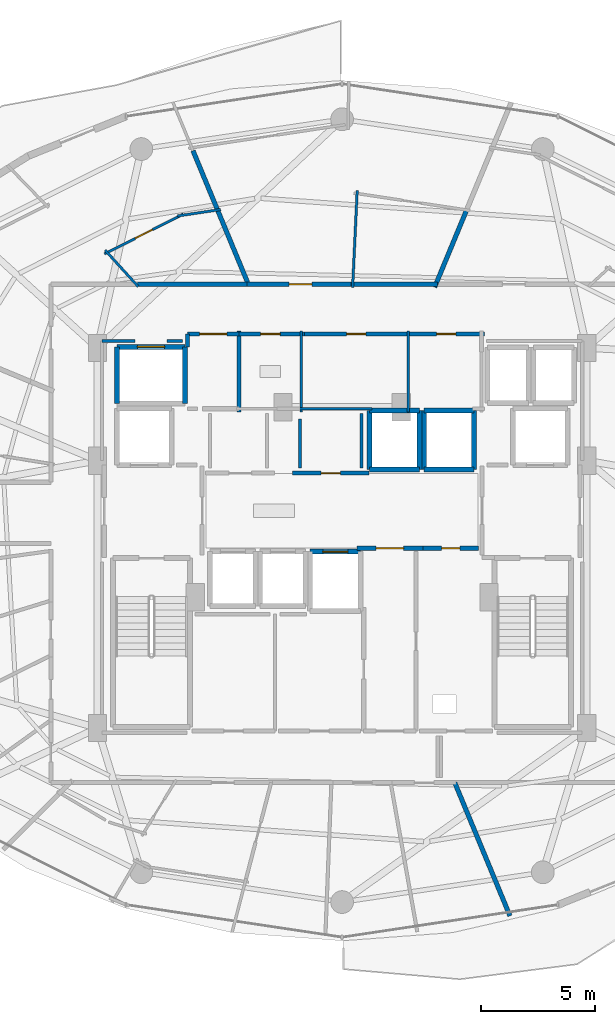
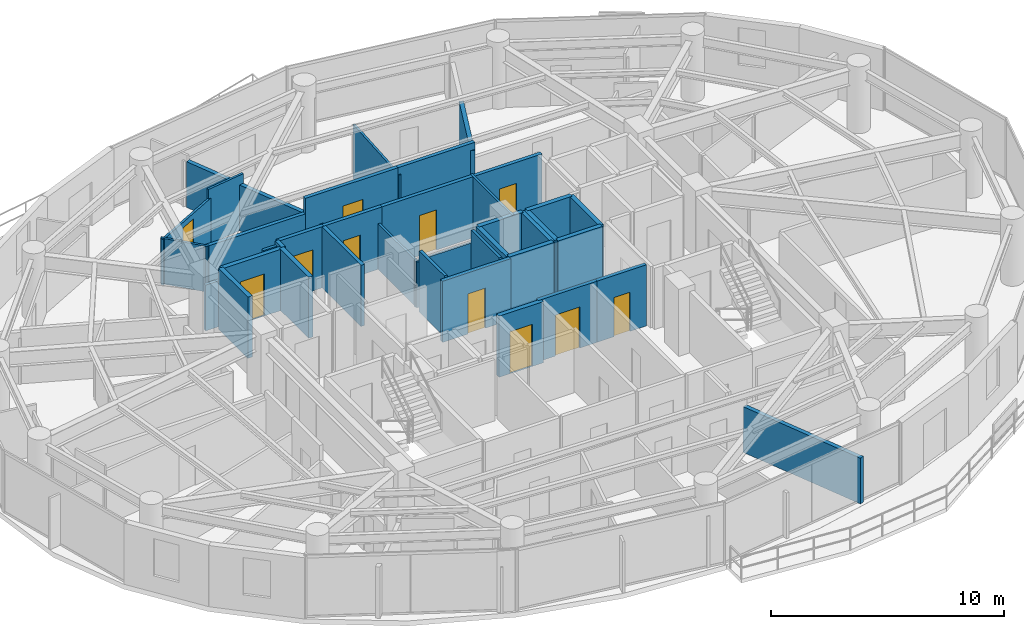
# One storey, part 23 of 29: 38 walls, 11 doors, 11 openings.
"""IFC4 building model written with IfcOpenShell, lengths in metres."""

from ifc_helpers import new_model, si_unit, direction, frame, frame_2d, origin, place, context, subcontext, project, spatial, rectangle, extrude, material, layer, layer_set, type_object, element, fill, save


model = new_model("IFC4")

# Units and contexts
model_context = context("Model", 3, precision=1e-05, world=origin(), true_north=direction((0.0, 1.0)))
body_context = subcontext(model_context, "Body", "Model", "MODEL_VIEW")
ifc_project = project(units=[si_unit("LENGTHUNIT", "METRE"), si_unit("AREAUNIT", "SQUARE_METRE"), si_unit("VOLUMEUNIT", "CUBIC_METRE"), si_unit("PLANEANGLEUNIT", "RADIAN"), si_unit("MASSUNIT", "GRAM", prefix="KILO")], contexts=[model_context])

# Site, building, storey
site_placement = place(None, origin())
site = spatial("IfcSite", under=ifc_project, at=site_placement, CompositionType="ELEMENT")
building_placement = place(site_placement, origin())
building = spatial("IfcBuilding", under=site, at=building_placement, Name="Vorneva Point Tower", CompositionType="ELEMENT")
storey_placement = place(building_placement, frame((0.0, 0.0, 171.10009765625)))
storey = spatial("IfcBuildingStorey", under=building, at=storey_placement, Name="L46", CompositionType="ELEMENT", Elevation=171.10009765625)

# Walls
ifc_material_1 = material(Name="Fire-rated acoustic gypsum stud partition", Category="gypsum")
ifc_layer_1 = layer(ifc_material_1, 0.110107421875)
ifc_layer_set_1 = layer_set([ifc_layer_1], Name="Fire-rated acoustic gypsum stud partition")
wall_type_1 = type_object("IfcWallType", Name="WL-PART-110", PredefinedType="PARTITIONING", material=ifc_layer_set_1)
wall_1_placement = place(storey_placement, frame((36.199951171875, 30.340087890625, 0.0), z_axis=(0.0, 0.0, 1.0), x_axis=(0.0, 1.0, 0.0)))
element("IfcWall", 1, at=wall_1_placement, inside=storey, type_object=wall_type_1, Name="L46 Interior Partition 018", PredefinedType="PARTITIONING", context=body_context, shape_type="SweptSolid", body=[
    extrude(rectangle(XDim=3.559814453125, YDim=0.110107421875, at=frame_2d((1.77978515625, 0.0))), origin(), (0.0, 0.0, 1.0), 2.391845703125),
])
wall_2_placement = place(storey_placement, frame((40.89990234375, 30.340087890625, 0.0), z_axis=(0.0, 0.0, 1.0), x_axis=(0.0, 1.0, 0.0)))
element("IfcWall", 2, at=wall_2_placement, inside=storey, type_object=wall_type_1, Name="L46 Interior Partition 021", PredefinedType="PARTITIONING", context=body_context, shape_type="SweptSolid", body=[
    extrude(rectangle(XDim=3.559814453125, YDim=0.110107421875, at=frame_2d((1.77978515625, 0.0))), origin(), (0.0, 0.0, 1.0), 3.199951171875),
])
wall_3_placement = place(storey_placement, frame((36.110107421875, 30.47998046875, 0.0), z_axis=(0.0, 0.0, 1.0), x_axis=(1.0, 0.0, 0.0)))
element("IfcWall", 3, at=wall_3_placement, inside=storey, type_object=wall_type_1, Name="L46 Interior Partition 022", PredefinedType="PARTITIONING", context=body_context, shape_type="SweptSolid", body=[
    extrude(rectangle(XDim=3.2099609375, YDim=0.110107421875, at=frame_2d((1.60498046875, 0.0))), origin(), (0.0, 0.0, 1.0), 2.391845703125),
])
wall_4_placement = place(storey_placement, frame((38.46240234375, 35.810302734375, 0.0), z_axis=(0.0, 0.0, 1.0), x_axis=(0.047098053516, 0.998890270928, 0.0)))
element("IfcWall", 4, at=wall_4_placement, inside=storey, type_object=wall_type_1, Name="L46 Interior Partition 070", PredefinedType="PARTITIONING", context=body_context, shape_type="SweptSolid", body=[
    extrude(rectangle(XDim=4.271240234375, YDim=0.110107421875, at=frame_2d((2.1357421875, 0.0))), origin(), (0.0, 0.0, 1.0), 2.833984375),
])
wall_5_placement = place(storey_placement, frame((29.040283203125, 35.846435546875, 0.0), z_axis=(0.0, 0.0, 1.0), x_axis=(-0.672886377769, 0.739745850014, 0.0)))
element("IfcWall", 5, at=wall_5_placement, inside=storey, type_object=wall_type_1, Name="L46 Interior Partition 076", PredefinedType="PARTITIONING", context=body_context, shape_type="SweptSolid", body=[
    extrude(rectangle(XDim=2.16162109375, YDim=0.110107421875, at=frame_2d((1.080810546875, 0.0))), origin(), (0.0, 0.0, 1.0), 2.391845703125),
])

# Wall, opening, door
wall_6_placement = place(storey_placement, frame((27.55517578125, 37.27880859375, 0.0), z_axis=(0.0, 0.0, 1.0), x_axis=(0.892457700076, 0.451131082475, 0.0)))
wall_6 = element("IfcWall", 6, at=wall_6_placement, inside=storey, type_object=wall_type_1, Name="L46 Interior Partition 077", PredefinedType="PARTITIONING", context=body_context, shape_type="SweptSolid", body=[
    extrude(rectangle(XDim=3.884521484375, YDim=0.110107421875, at=frame_2d((1.9423828125, 0.0))), origin(), (0.0, 0.0, 1.0), 2.391845703125),
])
opening_1_placement = place(wall_6_placement, frame((1.517333984375, 0.0, 0.0)))
opening_1 = element("IfcOpeningElement", 7, at=opening_1_placement, cuts=wall_6, Name="Opening ID-02", PredefinedType="OPENING", context=body_context, shape_type="SweptSolid", body=[
    extrude(rectangle(XDim=0.85009765625, YDim=2.10009765625, at=frame_2d((0.425048828125, 1.050048828125))), frame((0.0, 0.06982421875, 0.0), z_axis=(0.0, -1.0, 0.0), x_axis=(1.0, 0.0, 0.0)), (0.0, 0.0, 1.0), 0.139892578125),
])
ifc_material_2 = material(Name="Engineered oak fire-rated door leaf", Category="wood")
door_type_1 = type_object("IfcDoorType", Name="DR-BATH-850", OperationType="NOTDEFINED", PredefinedType="DOOR", material=ifc_material_2)
door_1_placement = place(opening_1_placement, origin())
door_1 = element("IfcDoor", 8, at=door_1_placement, inside=storey, type_object=door_type_1, Name="L46 Door Studio Apartment L46-03 / Bathroom L46-03", OperationType="SINGLE_SWING_RIGHT", OverallHeight=2.10009765625, OverallWidth=0.85009765625, PredefinedType="DOOR", context=body_context, shape_type="SweptSolid", body=[
    extrude(rectangle(XDim=0.85009765625, YDim=2.10009765625, at=frame_2d((0.425048828125, 1.050048828125))), frame((0.0, 0.02490234375, 0.0), z_axis=(0.0, -1.0, 0.0), x_axis=(1.0, 0.0, 0.0)), (0.0, 0.0, 1.0), 0.050048828125),
])
fill(opening_1, door_1)

# Walls
wall_7_placement = place(storey_placement, frame((30.758544921875, 38.947265625, 0.0), z_axis=(0.0, 0.0, 1.0), x_axis=(0.988889867338, 0.148650026153, 0.0)))
element("IfcWall", 9, at=wall_7_placement, inside=storey, type_object=wall_type_1, Name="L46 Interior Partition 078", PredefinedType="PARTITIONING", context=body_context, shape_type="SweptSolid", body=[
    extrude(rectangle(XDim=1.92822265625, YDim=0.110107421875, at=frame_2d((0.964111328125, 0.0))), origin(), (0.0, 0.0, 1.0), 2.888916015625),
])
ifc_layer_2 = layer(ifc_material_1, 0.139892578125)
ifc_layer_set_2 = layer_set([ifc_layer_2], Name="Fire-rated acoustic gypsum stud partition")
wall_type_2 = type_object("IfcWallType", Name="WL-PART-140", PredefinedType="PARTITIONING", material=ifc_layer_set_2)
wall_8_placement = place(storey_placement, frame((36.14990234375, 30.030029296875, 0.0), z_axis=(0.0, 0.0, 1.0), x_axis=(0.0, -1.0, 0.0)))
element("IfcWall", 10, at=wall_8_placement, inside=storey, type_object=wall_type_2, Name="L46 Interior Closure Partition 121", PredefinedType="PARTITIONING", context=body_context, shape_type="SweptSolid", body=[
    extrude(rectangle(XDim=2.159912109375, YDim=0.139892578125, at=frame_2d((1.080078125, 0.0))), origin(), (0.0, 0.0, 1.0), 3.199951171875),
])
wall_9_placement = place(storey_placement, frame((38.85009765625, 27.8701171875, 0.0), z_axis=(0.0, 0.0, 1.0), x_axis=(0.0, 1.0, 0.0)))
element("IfcWall", 11, at=wall_9_placement, inside=storey, type_object=wall_type_2, Name="L46 Interior Closure Partition 122", PredefinedType="PARTITIONING", context=body_context, shape_type="SweptSolid", body=[
    extrude(rectangle(XDim=2.389892578125, YDim=0.139892578125, at=frame_2d((1.19482421875, 0.0))), origin(), (0.0, 0.0, 1.0), 3.199951171875),
])
wall_10_placement = place(storey_placement, frame((30.97998046875, 33.449951171875, 0.0), z_axis=(0.0, 0.0, 1.0), x_axis=(-1.0, 0.0, 0.0)))
element("IfcWall", 12, at=wall_10_placement, inside=storey, type_object=wall_type_2, Name="L46 Interior Closure Partition 126", PredefinedType="PARTITIONING", context=body_context, shape_type="SweptSolid", body=[
    extrude(rectangle(XDim=0.674072265625, YDim=0.139892578125, at=frame_2d((0.3369140625, 0.0))), origin(), (0.0, 0.0, 1.0), 3.199951171875),
])
wall_11_placement = place(storey_placement, frame((28.89404296875, 33.449951171875, 0.0), z_axis=(0.0, 0.0, 1.0), x_axis=(-1.0, 0.0, 0.0)))
element("IfcWall", 13, at=wall_11_placement, inside=storey, type_object=wall_type_2, Name="L46 Interior Closure Partition 127", PredefinedType="PARTITIONING", context=body_context, shape_type="SweptSolid", body=[
    extrude(rectangle(XDim=1.444091796875, YDim=0.139892578125, at=frame_2d((0.72216796875, 0.0))), origin(), (0.0, 0.0, 1.0), 2.391845703125),
])
ifc_material_3 = material(Name="Autoclaved aerated concrete blockwork", Category="masonry")
ifc_layer_3 = layer(ifc_material_3, 0.179931640625)
ifc_layer_set_3 = layer_set([ifc_layer_3], Name="Autoclaved aerated concrete blockwork")
wall_type_3 = type_object("IfcWallType", Name="WL-PART-180", PredefinedType="PARTITIONING", material=ifc_layer_set_3)
wall_12_placement = place(storey_placement, frame((33.469970703125, 30.340087890625, 0.0), z_axis=(0.0, 0.0, 1.0), x_axis=(0.0, 1.0, 0.0)))
element("IfcWall", 14, at=wall_12_placement, inside=storey, type_object=wall_type_3, Name="L46 Interior Partition 006", PredefinedType="PARTITIONING", context=body_context, shape_type="SweptSolid", body=[
    extrude(rectangle(XDim=3.559814453125, YDim=0.179931640625, at=frame_2d((1.77978515625, 0.0))), origin(), (0.0, 0.0, 1.0), 3.199951171875),
])

# Wall, opening, door
wall_13_placement = place(storey_placement, frame((33.469970703125, 33.760009765625, 0.0), z_axis=(0.0, 0.0, 1.0), x_axis=(-1.0, 0.0, 0.0)))
wall_13 = element("IfcWall", 15, at=wall_13_placement, inside=storey, type_object=wall_type_3, Name="L46 Interior Partition 008", PredefinedType="PARTITIONING", context=body_context, shape_type="SweptSolid", body=[
    extrude(rectangle(XDim=2.27001953125, YDim=0.179931640625, at=frame_2d((1.135009765625, 0.0))), origin(), (0.0, 0.0, 1.0), 3.199951171875),
])
opening_2_placement = place(wall_13_placement, frame((0.534912109375, 0.0, 0.0)))
opening_2 = element("IfcOpeningElement", 16, at=opening_2_placement, cuts=wall_13, Name="Opening FD-02", PredefinedType="OPENING", context=body_context, shape_type="SweptSolid", body=[
    extrude(rectangle(XDim=1.199951171875, YDim=2.14990234375, at=frame_2d((0.60009765625, 1.074951171875))), frame((0.0, 0.10498046875, 0.0), z_axis=(0.0, -1.0, 0.0), x_axis=(1.0, 0.0, 0.0)), (0.0, 0.0, 1.0), 0.209716796875),
])
ifc_material_4 = material(Name="Fire-rated powder-coated steel", Category="steel")
door_type_2 = type_object("IfcDoorType", Name="DR-FFL-1200", OperationType="NOTDEFINED", PredefinedType="DOOR", material=ifc_material_4)
door_2_placement = place(opening_2_placement, origin())
door_2 = element("IfcDoor", 17, at=door_2_placement, inside=storey, type_object=door_type_2, Name="L46 Door Service Lift Lobby / L46 Circulation Corridor", OperationType="SINGLE_SWING_RIGHT", OverallHeight=2.14990234375, OverallWidth=1.199951171875, PredefinedType="DOOR", context=body_context, shape_type="SweptSolid", body=[
    extrude(rectangle(XDim=1.199951171875, YDim=2.14990234375, at=frame_2d((0.60009765625, 1.074951171875))), frame((0.0, 0.02490234375, 0.0), z_axis=(0.0, -1.0, 0.0), x_axis=(1.0, 0.0, 0.0)), (0.0, 0.0, 1.0), 0.050048828125),
])
fill(opening_2, door_2)

# Wall
wall_14_placement = place(storey_placement, frame((31.199951171875, 33.760009765625, 0.0), z_axis=(0.0, 0.0, 1.0), x_axis=(0.0, -1.0, 0.0)))
element("IfcWall", 18, at=wall_14_placement, inside=storey, type_object=wall_type_3, Name="L46 Interior Partition 009", PredefinedType="PARTITIONING", context=body_context, shape_type="SweptSolid", body=[
    extrude(rectangle(XDim=0.56005859375, YDim=0.179931640625, at=frame_2d((0.280029296875, 0.0))), origin(), (0.0, 0.0, 1.0), 3.199951171875),
])

# Wall, opening, door
wall_15_placement = place(storey_placement, frame((38.64501953125, 24.35009765625, 0.0), z_axis=(0.0, 0.0, 1.0), x_axis=(1.0, 0.0, 0.0)))
wall_15 = element("IfcWall", 19, at=wall_15_placement, inside=storey, type_object=wall_type_3, Name="L46 Interior Partition 010", PredefinedType="PARTITIONING", context=body_context, shape_type="SweptSolid", body=[
    extrude(rectangle(XDim=2.909912109375, YDim=0.179931640625, at=frame_2d((1.455078125, 0.0))), origin(), (0.0, 0.0, 1.0), 3.199951171875),
])
opening_3_placement = place(wall_15_placement, frame((0.85498046875, 0.0, 0.0)))
opening_3 = element("IfcOpeningElement", 20, at=opening_3_placement, cuts=wall_15, Name="Opening FD-02", PredefinedType="OPENING", context=body_context, shape_type="SweptSolid", body=[
    extrude(rectangle(XDim=1.199951171875, YDim=2.14990234375, at=frame_2d((0.60009765625, 1.074951171875))), frame((0.0, 0.10498046875, 0.0), z_axis=(0.0, -1.0, 0.0), x_axis=(1.0, 0.0, 0.0)), (0.0, 0.0, 1.0), 0.209716796875),
])
door_3_placement = place(opening_3_placement, origin())
door_3 = element("IfcDoor", 21, at=door_3_placement, inside=storey, type_object=door_type_2, Name="L46 Door Central Lift Lobby / Core Service Lobby", OperationType="SINGLE_SWING_LEFT", OverallHeight=2.14990234375, OverallWidth=1.199951171875, PredefinedType="DOOR", context=body_context, shape_type="SweptSolid", body=[
    extrude(rectangle(XDim=1.199951171875, YDim=2.14990234375, at=frame_2d((0.60009765625, 1.074951171875))), frame((0.0, 0.02490234375, 0.0), z_axis=(0.0, -1.0, 0.0), x_axis=(1.0, 0.0, 0.0)), (0.0, 0.0, 1.0), 0.050048828125),
])
fill(opening_3, door_3)

wall_16_placement = place(storey_placement, frame((41.554931640625, 24.35009765625, 0.0), z_axis=(0.0, 0.0, 1.0), x_axis=(1.0, 0.0, 0.0)))
wall_16 = element("IfcWall", 22, at=wall_16_placement, inside=storey, type_object=wall_type_3, Name="L46 Interior Partition 011", PredefinedType="PARTITIONING", context=body_context, shape_type="SweptSolid", body=[
    extrude(rectangle(XDim=2.445068359375, YDim=0.179931640625, at=frame_2d((1.22265625, 0.0))), origin(), (0.0, 0.0, 1.0), 3.199951171875),
])
opening_4_placement = place(wall_16_placement, frame((0.822509765625, 0.0, 0.0)))
opening_4 = element("IfcOpeningElement", 23, at=opening_4_placement, cuts=wall_16, Name="Opening RD-01", PredefinedType="OPENING", context=body_context, shape_type="SweptSolid", body=[
    extrude(rectangle(XDim=0.800048828125, YDim=2.050048828125, at=frame_2d((0.39990234375, 1.02490234375))), frame((0.0, 0.10498046875, 0.0), z_axis=(0.0, -1.0, 0.0), x_axis=(1.0, 0.0, 0.0)), (0.0, 0.0, 1.0), 0.209716796875),
])
door_type_3 = type_object("IfcDoorType", Name="DR-RSR-800", OperationType="SINGLE_SWING_LEFT", PredefinedType="DOOR", material=ifc_material_4)
door_4_placement = place(opening_4_placement, origin())
door_4 = element("IfcDoor", 24, at=door_4_placement, inside=storey, type_object=door_type_3, Name="L46 Door Central Lift Lobby / Electrical Riser", OperationType="SINGLE_SWING_RIGHT", OverallHeight=2.050048828125, OverallWidth=0.800048828125, PredefinedType="DOOR", context=body_context, shape_type="SweptSolid", body=[
    extrude(rectangle(XDim=0.800048828125, YDim=2.050048828125, at=frame_2d((0.39990234375, 1.02490234375))), frame((0.0, 0.02490234375, 0.0), z_axis=(0.0, -1.0, 0.0), x_axis=(1.0, 0.0, 0.0)), (0.0, 0.0, 1.0), 0.050048828125),
])
fill(opening_4, door_4)

wall_17_placement = place(storey_placement, frame((39.18994140625, 27.64990234375, 0.0), z_axis=(0.0, 0.0, 1.0), x_axis=(-1.0, 0.0, 0.0)))
wall_17 = element("IfcWall", 25, at=wall_17_placement, inside=storey, type_object=wall_type_3, Name="L46 Interior Partition 013", PredefinedType="PARTITIONING", context=body_context, shape_type="SweptSolid", body=[
    extrude(rectangle(XDim=3.3798828125, YDim=0.179931640625, at=frame_2d((1.68994140625, 0.0))), origin(), (0.0, 0.0, 1.0), 3.199951171875),
])
opening_5_placement = place(wall_17_placement, frame((1.264892578125, 0.0, 0.0)))
opening_5 = element("IfcOpeningElement", 26, at=opening_5_placement, cuts=wall_17, Name="Opening ID-02", PredefinedType="OPENING", context=body_context, shape_type="SweptSolid", body=[
    extrude(rectangle(XDim=0.85009765625, YDim=2.10009765625, at=frame_2d((0.425048828125, 1.050048828125))), frame((0.0, 0.10498046875, 0.0), z_axis=(0.0, -1.0, 0.0), x_axis=(1.0, 0.0, 0.0)), (0.0, 0.0, 1.0), 0.209716796875),
])
door_5_placement = place(opening_5_placement, origin())
door_5 = element("IfcDoor", 27, at=door_5_placement, inside=storey, type_object=door_type_1, Name="L46 Door Central Lift Lobby / Reclaimed Core Archive Store", OperationType="SINGLE_SWING_RIGHT", OverallHeight=2.10009765625, OverallWidth=0.85009765625, PredefinedType="DOOR", context=body_context, shape_type="SweptSolid", body=[
    extrude(rectangle(XDim=0.85009765625, YDim=2.10009765625, at=frame_2d((0.425048828125, 1.050048828125))), frame((0.0, 0.02490234375, 0.0), z_axis=(0.0, -1.0, 0.0), x_axis=(1.0, 0.0, 0.0)), (0.0, 0.0, 1.0), 0.050048828125),
])
fill(opening_5, door_5)

wall_18_placement = place(storey_placement, frame((36.340087890625, 33.760009765625, 0.0), z_axis=(0.0, 0.0, 1.0), x_axis=(-1.0, 0.0, 0.0)))
wall_18 = element("IfcWall", 28, at=wall_18_placement, inside=storey, type_object=wall_type_3, Name="L46 Interior Partition 020", PredefinedType="PARTITIONING", context=body_context, shape_type="SweptSolid", body=[
    extrude(rectangle(XDim=2.97998046875, YDim=0.179931640625, at=frame_2d((1.489990234375, 0.0))), origin(), (0.0, 0.0, 1.0), 3.199951171875),
])
opening_6_placement = place(wall_18_placement, frame((1.06494140625, 0.0, 0.0)))
opening_6 = element("IfcOpeningElement", 29, at=opening_6_placement, cuts=wall_18, Name="Opening ID-02", PredefinedType="OPENING", context=body_context, shape_type="SweptSolid", body=[
    extrude(rectangle(XDim=0.85009765625, YDim=2.10009765625, at=frame_2d((0.425048828125, 1.050048828125))), frame((0.0, 0.10498046875, 0.0), z_axis=(0.0, -1.0, 0.0), x_axis=(1.0, 0.0, 0.0)), (0.0, 0.0, 1.0), 0.209716796875),
])
door_6_placement = place(opening_6_placement, origin())
door_6 = element("IfcDoor", 30, at=door_6_placement, inside=storey, type_object=door_type_1, Name="L46 Door Public Male WC / L46 Circulation Corridor", OperationType="SINGLE_SWING_LEFT", OverallHeight=2.10009765625, OverallWidth=0.85009765625, PredefinedType="DOOR", context=body_context, shape_type="SweptSolid", body=[
    extrude(rectangle(XDim=0.85009765625, YDim=2.10009765625, at=frame_2d((0.425048828125, 1.050048828125))), frame((0.0, 0.02490234375, 0.0), z_axis=(0.0, -1.0, 0.0), x_axis=(1.0, 0.0, 0.0)), (0.0, 0.0, 1.0), 0.050048828125),
])
fill(opening_6, door_6)

wall_19_placement = place(storey_placement, frame((41.0400390625, 33.760009765625, 0.0), z_axis=(0.0, 0.0, 1.0), x_axis=(-1.0, 0.0, 0.0)))
wall_19 = element("IfcWall", 31, at=wall_19_placement, inside=storey, type_object=wall_type_3, Name="L46 Interior Partition 023", PredefinedType="PARTITIONING", context=body_context, shape_type="SweptSolid", body=[
    extrude(rectangle(XDim=4.840087890625, YDim=0.179931640625, at=frame_2d((2.419921875, 0.0))), origin(), (0.0, 0.0, 1.0), 3.199951171875),
])
opening_7_placement = place(wall_19_placement, frame((1.9951171875, 0.0, 0.0)))
opening_7 = element("IfcOpeningElement", 32, at=opening_7_placement, cuts=wall_19, Name="Opening ID-02", PredefinedType="OPENING", context=body_context, shape_type="SweptSolid", body=[
    extrude(rectangle(XDim=0.85009765625, YDim=2.10009765625, at=frame_2d((0.425048828125, 1.050048828125))), frame((0.0, 0.10498046875, 0.0), z_axis=(0.0, -1.0, 0.0), x_axis=(1.0, 0.0, 0.0)), (0.0, 0.0, 1.0), 0.209716796875),
])
door_7_placement = place(opening_7_placement, origin())
door_7 = element("IfcDoor", 33, at=door_7_placement, inside=storey, type_object=door_type_1, Name="L46 Door Public Female WC / L46 Circulation Corridor", OperationType="SINGLE_SWING_RIGHT", OverallHeight=2.10009765625, OverallWidth=0.85009765625, PredefinedType="DOOR", context=body_context, shape_type="SweptSolid", body=[
    extrude(rectangle(XDim=0.85009765625, YDim=2.10009765625, at=frame_2d((0.425048828125, 1.050048828125))), frame((0.0, 0.02490234375, 0.0), z_axis=(0.0, -1.0, 0.0), x_axis=(1.0, 0.0, 0.0)), (0.0, 0.0, 1.0), 0.050048828125),
])
fill(opening_7, door_7)

wall_20_placement = place(storey_placement, frame((44.260009765625, 33.760009765625, 0.0), z_axis=(0.0, 0.0, 1.0), x_axis=(-1.0, 0.0, 0.0)))
wall_20 = element("IfcWall", 34, at=wall_20_placement, inside=storey, type_object=wall_type_3, Name="L46 Interior Partition 024", PredefinedType="PARTITIONING", context=body_context, shape_type="SweptSolid", body=[
    extrude(rectangle(XDim=3.360107421875, YDim=0.179931640625, at=frame_2d((1.68017578125, 0.0))), origin(), (0.0, 0.0, 1.0), 3.199951171875),
])
opening_8_placement = place(wall_20_placement, frame((1.2548828125, 0.0, 0.0)))
opening_8 = element("IfcOpeningElement", 35, at=opening_8_placement, cuts=wall_20, Name="Opening ID-02", PredefinedType="OPENING", context=body_context, shape_type="SweptSolid", body=[
    extrude(rectangle(XDim=0.85009765625, YDim=2.10009765625, at=frame_2d((0.425048828125, 1.050048828125))), frame((0.0, 0.10498046875, 0.0), z_axis=(0.0, -1.0, 0.0), x_axis=(1.0, 0.0, 0.0)), (0.0, 0.0, 1.0), 0.209716796875),
])
door_8_placement = place(opening_8_placement, origin())
door_8 = element("IfcDoor", 36, at=door_8_placement, inside=storey, type_object=door_type_1, Name="L46 Door Accessible WC / L46 Circulation Corridor", OperationType="SINGLE_SWING_LEFT", OverallHeight=2.10009765625, OverallWidth=0.85009765625, PredefinedType="DOOR", context=body_context, shape_type="SweptSolid", body=[
    extrude(rectangle(XDim=0.85009765625, YDim=2.10009765625, at=frame_2d((0.425048828125, 1.050048828125))), frame((0.0, 0.02490234375, 0.0), z_axis=(0.0, -1.0, 0.0), x_axis=(1.0, 0.0, 0.0)), (0.0, 0.0, 1.0), 0.050048828125),
])
fill(opening_8, door_8)

wall_21_placement = place(storey_placement, frame((38.529052734375, 35.949951171875, 0.0), z_axis=(0.0, 0.0, 1.0), x_axis=(-1.0, 0.0, 0.0)))
wall_21 = element("IfcWall", 37, at=wall_21_placement, inside=storey, type_object=wall_type_3, Name="L46 Interior Partition 032", PredefinedType="PARTITIONING", context=body_context, shape_type="SweptSolid", body=[
    extrude(rectangle(XDim=4.715087890625, YDim=0.179931640625, at=frame_2d((2.357421875, 0.0))), origin(), (0.0, 0.0, 1.0), 3.199951171875),
])
opening_9_placement = place(wall_21_placement, frame((1.857421875, 0.0, 0.0)))
opening_9 = element("IfcOpeningElement", 38, at=opening_9_placement, cuts=wall_21, Name="Opening UD-01", PredefinedType="OPENING", context=body_context, shape_type="SweptSolid", body=[
    extrude(rectangle(XDim=1.0, YDim=2.14990234375, at=frame_2d((0.5, 1.074951171875))), frame((0.0, 0.10498046875, 0.0), z_axis=(0.0, -1.0, 0.0), x_axis=(1.0, 0.0, 0.0)), (0.0, 0.0, 1.0), 0.209716796875),
])
door_type_4 = type_object("IfcDoorType", Name="DR-UNIT-1000", OperationType="NOTDEFINED", PredefinedType="DOOR", material=ifc_material_2)
door_9_placement = place(opening_9_placement, origin())
door_9 = element("IfcDoor", 39, at=door_9_placement, inside=storey, type_object=door_type_4, Name="L46 Door L46 Circulation Corridor / Studio Apartment L46-02", OperationType="SINGLE_SWING_LEFT", OverallHeight=2.14990234375, OverallWidth=1.0, PredefinedType="DOOR", context=body_context, shape_type="SweptSolid", body=[
    extrude(rectangle(XDim=1.0, YDim=2.14990234375, at=frame_2d((0.5, 1.074951171875))), frame((0.0, 0.02490234375, 0.0), z_axis=(0.0, -1.0, 0.0), x_axis=(1.0, 0.0, 0.0)), (0.0, 0.0, 1.0), 0.050048828125),
])
fill(opening_9, door_9)

# Walls
wall_22_placement = place(storey_placement, frame((42.200927734375, 35.949951171875, 0.0), z_axis=(0.0, 0.0, 1.0), x_axis=(-1.0, 0.0, 0.0)))
element("IfcWall", 40, at=wall_22_placement, inside=storey, type_object=wall_type_3, Name="L46 Interior Partition 033", PredefinedType="PARTITIONING", context=body_context, shape_type="SweptSolid", body=[
    extrude(rectangle(XDim=3.81201171875, YDim=0.179931640625, at=frame_2d((1.906005859375, 0.0))), origin(), (0.0, 0.0, 1.0), 3.199951171875),
])
wall_23_placement = place(storey_placement, frame((33.9541015625, 35.949951171875, 0.0), z_axis=(0.0, 0.0, 1.0), x_axis=(-1.0, 0.0, 0.0)))
element("IfcWall", 41, at=wall_23_placement, inside=storey, type_object=wall_type_3, Name="L46 Interior Partition 036", PredefinedType="PARTITIONING", context=body_context, shape_type="SweptSolid", body=[
    extrude(rectangle(XDim=5.088134765625, YDim=0.179931640625, at=frame_2d((2.5439453125, 0.0))), origin(), (0.0, 0.0, 1.0), 2.391845703125),
])
ifc_layer_4 = layer(ifc_material_3, 0.199951171875)
ifc_layer_set_4 = layer_set([ifc_layer_4], Name="Autoclaved aerated concrete blockwork")
wall_type_4 = type_object("IfcWallType", Name="WL-PART-200", PredefinedType="PARTITIONING", material=ifc_layer_set_4)
wall_24_placement = place(storey_placement, frame((43.503173828125, 39.28515625, 0.0), z_axis=(0.0, 0.0, 1.0), x_axis=(-0.382867331148, -0.923803337697, 0.0)))
element("IfcWall", 42, at=wall_24_placement, inside=storey, type_object=wall_type_4, Name="L46 Interior Partition 067", PredefinedType="PARTITIONING", context=body_context, shape_type="SweptSolid", body=[
    extrude(rectangle(XDim=3.75, YDim=0.199951171875, at=frame_2d((1.875, 0.0))), origin(), (0.0, 0.0, 1.0), 2.833984375),
])
wall_25_placement = place(storey_placement, frame((31.448486328125, 41.816650390625, 0.0), z_axis=(0.0, 0.0, 1.0), x_axis=(0.382730952295, -0.92385984768, 0.0)))
element("IfcWall", 43, at=wall_25_placement, inside=storey, type_object=wall_type_4, Name="L46 Interior Partition 075", PredefinedType="PARTITIONING", context=body_context, shape_type="SweptSolid", body=[
    extrude(rectangle(XDim=6.35009765625, YDim=0.199951171875, at=frame_2d((3.175048828125, 0.0))), origin(), (0.0, 0.0, 1.0), 2.391845703125),
])
wall_26_placement = place(storey_placement, frame((45.3759765625, 8.193115234375, 0.0), z_axis=(0.0, 0.0, 1.0), x_axis=(-0.382683979298, 0.923879305964, 0.0)))
element("IfcWall", 44, at=wall_26_placement, inside=storey, type_object=wall_type_4, Name="L46 Interior Partition 110", PredefinedType="PARTITIONING", context=body_context, shape_type="SweptSolid", body=[
    extrude(rectangle(XDim=6.339599609375, YDim=0.199951171875, at=frame_2d((3.169921875, 0.0))), origin(), (0.0, 0.0, 1.0), 2.391845703125),
])

# Wall, opening, door
ifc_material_5 = material(Name="Concrete B50 (C40/50)", Category="concrete")
ifc_layer_5 = layer(ifc_material_5, 0.219970703125)
ifc_layer_set_5 = layer_set([ifc_layer_5], Name="Concrete B50 (C40/50)")
wall_type_5 = type_object("IfcWallType", Name="WL-SHFT-220", PredefinedType="SOLIDWALL", material=ifc_layer_set_5)
wall_27_placement = place(storey_placement, frame((38.800048828125, 24.199951171875, 0.0), z_axis=(0.0, 0.0, 1.0), x_axis=(-1.0, 0.0, 0.0)))
wall_27 = element("IfcWall", 45, at=wall_27_placement, inside=storey, type_object=wall_type_5, Name="L46 Lift PL6 Shaft Wall +Y", PredefinedType="SOLIDWALL", context=body_context, shape_type="SweptSolid", body=[
    extrude(rectangle(XDim=2.199951171875, YDim=0.219970703125, at=frame_2d((1.10009765625, 0.0))), origin(), (0.0, 0.0, 1.0), 3.199951171875),
])
opening_10_placement = place(wall_27_placement, frame((0.550048828125, 0.0, 0.0)))
opening_10 = element("IfcOpeningElement", 46, at=opening_10_placement, cuts=wall_27, Name="Opening LD-01", PredefinedType="OPENING", context=body_context, shape_type="SweptSolid", body=[
    extrude(rectangle(XDim=1.10009765625, YDim=2.199951171875, at=frame_2d((0.550048828125, 1.10009765625))), frame((0.0, 0.125, 0.0), z_axis=(0.0, -1.0, 0.0), x_axis=(1.0, 0.0, 0.0)), (0.0, 0.0, 1.0), 0.249755859375),
])
ifc_material_6 = material(Name="Brushed stainless steel S304", Category="steel")
door_type_5 = type_object("IfcDoorType", Name="LD-PASS-1100", OperationType="SLIDING_TO_LEFT", PredefinedType="DOOR", material=ifc_material_6)
door_10_placement = place(opening_10_placement, origin())
door_10 = element("IfcDoor", 47, at=door_10_placement, inside=storey, type_object=door_type_5, Name="L46 Lift PL6 Sliding Landing Door", OperationType="SLIDING_TO_LEFT", OverallHeight=2.199951171875, OverallWidth=1.10009765625, PredefinedType="DOOR", context=body_context, shape_type="SweptSolid", body=[
    extrude(rectangle(XDim=1.10009765625, YDim=2.199951171875, at=frame_2d((0.550048828125, 1.10009765625))), frame((0.0, 0.02490234375, 0.0), z_axis=(0.0, -1.0, 0.0), x_axis=(1.0, 0.0, 0.0)), (0.0, 0.0, 1.0), 0.050048828125),
])
fill(opening_10, door_10)

# Walls
wall_28_placement = place(storey_placement, frame((39.199951171875, 27.800048828125, 0.0), z_axis=(0.0, 0.0, 1.0), x_axis=(1.0, 0.0, 0.0)))
element("IfcWall", 48, at=wall_28_placement, inside=storey, type_object=wall_type_5, Name="L46 Lift PL7 Shaft Wall -Y", PredefinedType="SOLIDWALL", context=body_context, shape_type="SweptSolid", body=[
    extrude(rectangle(XDim=2.199951171875, YDim=0.219970703125, at=frame_2d((1.10009765625, 0.0))), origin(), (0.0, 0.0, 1.0), 3.199951171875),
])
wall_29_placement = place(storey_placement, frame((41.39990234375, 27.800048828125, 0.0), z_axis=(0.0, 0.0, 1.0), x_axis=(0.0, 1.0, 0.0)))
element("IfcWall", 49, at=wall_29_placement, inside=storey, type_object=wall_type_5, Name="L46 Lift PL7 Shaft Wall +X", PredefinedType="SOLIDWALL", context=body_context, shape_type="SweptSolid", body=[
    extrude(rectangle(XDim=2.599853515625, YDim=0.219970703125, at=frame_2d((1.2998046875, 0.0))), origin(), (0.0, 0.0, 1.0), 3.199951171875),
])
wall_30_placement = place(storey_placement, frame((41.39990234375, 30.39990234375, 0.0), z_axis=(0.0, 0.0, 1.0), x_axis=(-1.0, 0.0, 0.0)))
element("IfcWall", 50, at=wall_30_placement, inside=storey, type_object=wall_type_5, Name="L46 Lift PL7 Shaft Wall +Y", PredefinedType="SOLIDWALL", context=body_context, shape_type="SweptSolid", body=[
    extrude(rectangle(XDim=2.199951171875, YDim=0.219970703125, at=frame_2d((1.10009765625, 0.0))), origin(), (0.0, 0.0, 1.0), 3.199951171875),
])
wall_31_placement = place(storey_placement, frame((39.199951171875, 30.39990234375, 0.0), z_axis=(0.0, 0.0, 1.0), x_axis=(0.0, -1.0, 0.0)))
element("IfcWall", 51, at=wall_31_placement, inside=storey, type_object=wall_type_5, Name="L46 Lift PL7 Shaft Wall -X", PredefinedType="SOLIDWALL", context=body_context, shape_type="SweptSolid", body=[
    extrude(rectangle(XDim=2.599853515625, YDim=0.219970703125, at=frame_2d((1.2998046875, 0.0))), origin(), (0.0, 0.0, 1.0), 3.199951171875),
])
wall_32_placement = place(storey_placement, frame((41.60009765625, 27.800048828125, 0.0), z_axis=(0.0, 0.0, 1.0), x_axis=(1.0, 0.0, 0.0)))
element("IfcWall", 52, at=wall_32_placement, inside=storey, type_object=wall_type_5, Name="L46 Lift PL8 Shaft Wall -Y", PredefinedType="SOLIDWALL", context=body_context, shape_type="SweptSolid", body=[
    extrude(rectangle(XDim=2.199951171875, YDim=0.219970703125, at=frame_2d((1.10009765625, 0.0))), origin(), (0.0, 0.0, 1.0), 3.199951171875),
])
wall_33_placement = place(storey_placement, frame((43.800048828125, 27.800048828125, 0.0), z_axis=(0.0, 0.0, 1.0), x_axis=(0.0, 1.0, 0.0)))
element("IfcWall", 53, at=wall_33_placement, inside=storey, type_object=wall_type_5, Name="L46 Lift PL8 Shaft Wall +X", PredefinedType="SOLIDWALL", context=body_context, shape_type="SweptSolid", body=[
    extrude(rectangle(XDim=2.599853515625, YDim=0.219970703125, at=frame_2d((1.2998046875, 0.0))), origin(), (0.0, 0.0, 1.0), 3.199951171875),
])
wall_34_placement = place(storey_placement, frame((43.800048828125, 30.39990234375, 0.0), z_axis=(0.0, 0.0, 1.0), x_axis=(-1.0, 0.0, 0.0)))
element("IfcWall", 54, at=wall_34_placement, inside=storey, type_object=wall_type_5, Name="L46 Lift PL8 Shaft Wall +Y", PredefinedType="SOLIDWALL", context=body_context, shape_type="SweptSolid", body=[
    extrude(rectangle(XDim=2.199951171875, YDim=0.219970703125, at=frame_2d((1.10009765625, 0.0))), origin(), (0.0, 0.0, 1.0), 3.199951171875),
])
wall_35_placement = place(storey_placement, frame((41.60009765625, 30.39990234375, 0.0), z_axis=(0.0, 0.0, 1.0), x_axis=(0.0, -1.0, 0.0)))
element("IfcWall", 55, at=wall_35_placement, inside=storey, type_object=wall_type_5, Name="L46 Lift PL8 Shaft Wall -X", PredefinedType="SOLIDWALL", context=body_context, shape_type="SweptSolid", body=[
    extrude(rectangle(XDim=2.599853515625, YDim=0.219970703125, at=frame_2d((1.2998046875, 0.0))), origin(), (0.0, 0.0, 1.0), 3.199951171875),
])
wall_36_placement = place(storey_placement, frame((31.10009765625, 30.699951171875, 0.0), z_axis=(0.0, 0.0, 1.0), x_axis=(0.0, 1.0, 0.0)))
element("IfcWall", 56, at=wall_36_placement, inside=storey, type_object=wall_type_5, Name="L46 Lift SVL1 Shaft Wall +X", PredefinedType="SOLIDWALL", context=body_context, shape_type="SweptSolid", body=[
    extrude(rectangle(XDim=2.5, YDim=0.219970703125, at=frame_2d((1.25, 0.0))), origin(), (0.0, 0.0, 1.0), 3.199951171875),
])

# Wall, opening, door
wall_37_placement = place(storey_placement, frame((31.10009765625, 33.199951171875, 0.0), z_axis=(0.0, 0.0, 1.0), x_axis=(-1.0, 0.0, 0.0)))
wall_37 = element("IfcWall", 57, at=wall_37_placement, inside=storey, type_object=wall_type_5, Name="L46 Lift SVL1 Shaft Wall +Y", PredefinedType="SOLIDWALL", context=body_context, shape_type="SweptSolid", body=[
    extrude(rectangle(XDim=3.0, YDim=0.219970703125, at=frame_2d((1.5, 0.0))), origin(), (0.0, 0.0, 1.0), 3.199951171875),
])
opening_11_placement = place(wall_37_placement, frame((0.89990234375, 0.0, 0.0)))
opening_11 = element("IfcOpeningElement", 58, at=opening_11_placement, cuts=wall_37, Name="Opening LD-02", PredefinedType="OPENING", context=body_context, shape_type="SweptSolid", body=[
    extrude(rectangle(XDim=1.199951171875, YDim=2.199951171875, at=frame_2d((0.60009765625, 1.10009765625))), frame((0.0, 0.125, 0.0), z_axis=(0.0, -1.0, 0.0), x_axis=(1.0, 0.0, 0.0)), (0.0, 0.0, 1.0), 0.249755859375),
])
door_type_6 = type_object("IfcDoorType", Name="LD-FIRE-1200", OperationType="SLIDING_TO_LEFT", PredefinedType="DOOR", material=ifc_material_6)
door_11_placement = place(opening_11_placement, origin())
door_11 = element("IfcDoor", 59, at=door_11_placement, inside=storey, type_object=door_type_6, Name="L46 Lift SVL1 Sliding Landing Door", OperationType="SLIDING_TO_LEFT", OverallHeight=2.199951171875, OverallWidth=1.199951171875, PredefinedType="DOOR", context=body_context, shape_type="SweptSolid", body=[
    extrude(rectangle(XDim=1.199951171875, YDim=2.199951171875, at=frame_2d((0.60009765625, 1.10009765625))), frame((0.0, 0.02490234375, 0.0), z_axis=(0.0, -1.0, 0.0), x_axis=(1.0, 0.0, 0.0)), (0.0, 0.0, 1.0), 0.050048828125),
])
fill(opening_11, door_11)

# Wall
wall_38_placement = place(storey_placement, frame((28.10009765625, 33.199951171875, 0.0), z_axis=(0.0, 0.0, 1.0), x_axis=(0.0, -1.0, 0.0)))
element("IfcWall", 60, at=wall_38_placement, inside=storey, type_object=wall_type_5, Name="L46 Lift SVL1 Shaft Wall -X", PredefinedType="SOLIDWALL", context=body_context, shape_type="SweptSolid", body=[
    extrude(rectangle(XDim=2.5, YDim=0.219970703125, at=frame_2d((1.25, 0.0))), origin(), (0.0, 0.0, 1.0), 3.199951171875),
])

save(model, "model.ifc")
